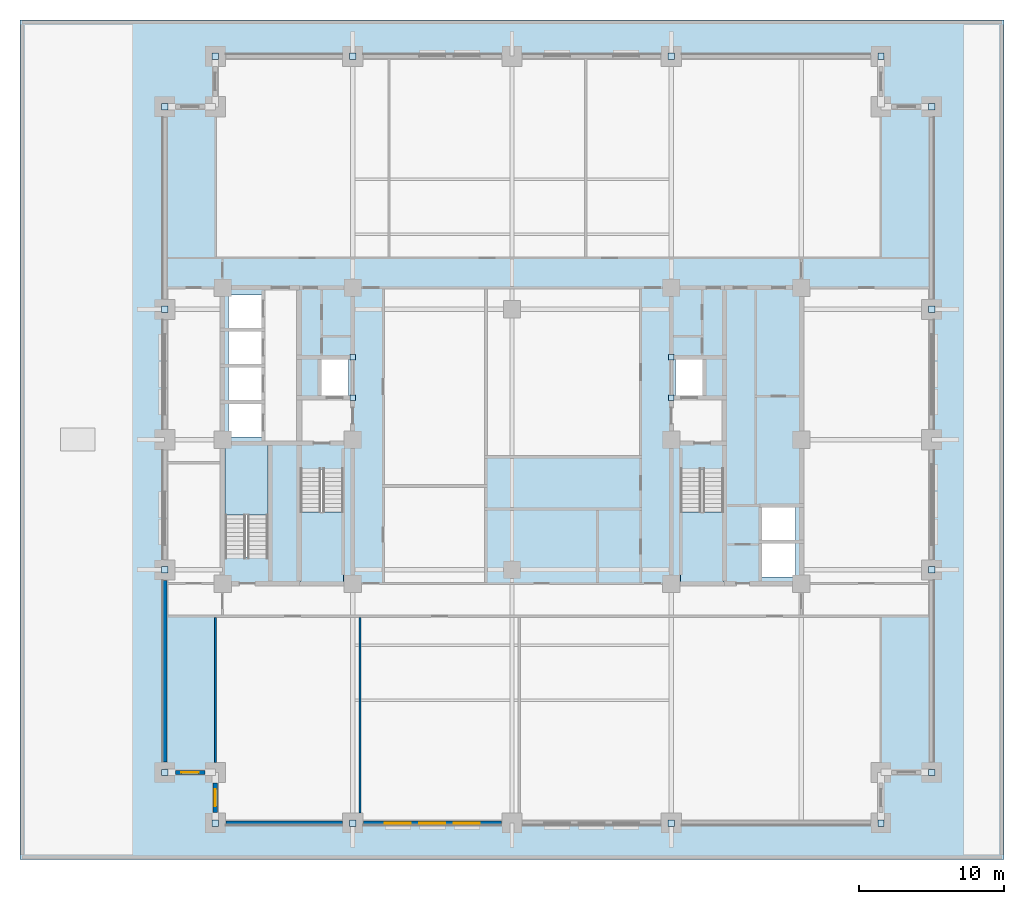
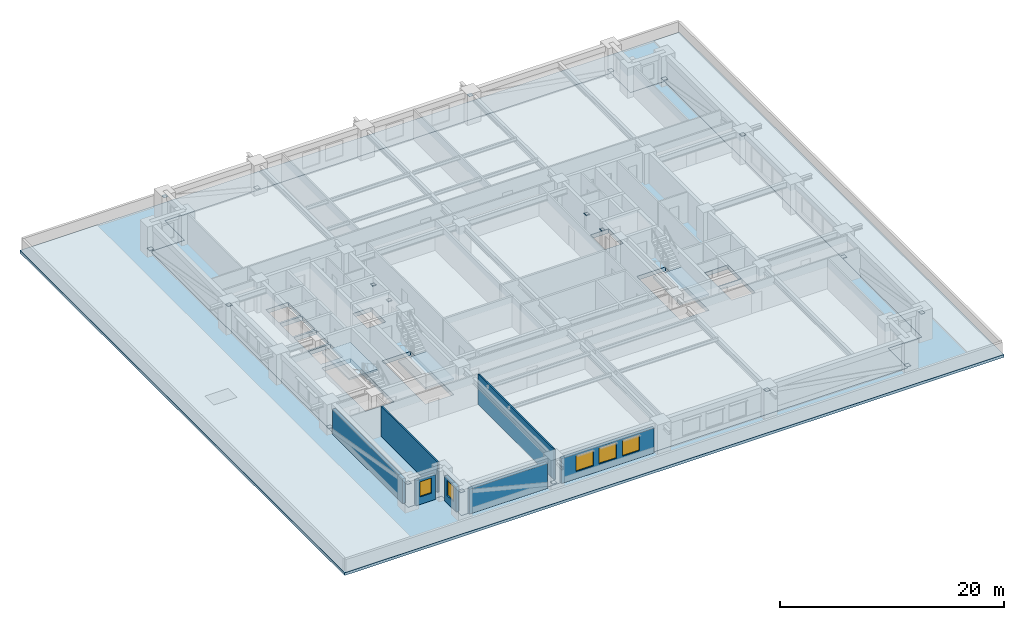
# One storey, part 2 of 12: 20 plates, 7 walls, 5 slabs, 5 windows, 5 openings, 3 elements without a shape of their own.
"""IFC4 building model written with IfcOpenShell, lengths in metres."""

from ifc_helpers import new_model, si_unit, direction, frame, frame_2d, origin, origin_2d, place, context, subcontext, project, spatial, polyline, rectangle, outline, extrude, material, layer, layer_set, type_object, element, fill, aggregate, save


model = new_model("IFC4")

# Units and contexts
model_context = context("Model", 3, precision=1e-05, world=origin(), true_north=direction((0.0, 1.0)))
body_context = subcontext(model_context, "Body", "Model", "MODEL_VIEW")
ifc_project = project(units=[si_unit("LENGTHUNIT", "METRE"), si_unit("AREAUNIT", "SQUARE_METRE"), si_unit("VOLUMEUNIT", "CUBIC_METRE"), si_unit("PLANEANGLEUNIT", "RADIAN"), si_unit("MASSUNIT", "GRAM", prefix="KILO")], contexts=[model_context])

# Site, building, storey
site_placement = place(None, origin())
site = spatial("IfcSite", under=ifc_project, at=site_placement, CompositionType="ELEMENT")
building_placement = place(site_placement, origin())
building = spatial("IfcBuilding", under=site, at=building_placement, Name="Zulmaris Gate Convention Tower", CompositionType="ELEMENT")
storey_placement = place(building_placement, frame((0.0, 0.0, 27.199951171875)))
storey = spatial("IfcBuildingStorey", under=building, at=storey_placement, Name="L05", CompositionType="ELEMENT", Elevation=27.199951171875)

# Plates
ifc_material_1 = material(Name="Steel S460", Category="steel")
ifc_layer_1 = layer(ifc_material_1, 0.02197265625, Name="Steel S460")
ifc_layer_set_1 = layer_set([ifc_layer_1], Name="Steel S460")
plate_type_1 = type_object("IfcPlateType", Name="NP-CAP-360", PredefinedType="USERDEFINED", material=ifc_layer_set_1)
for number, where, z_axis, x_axis, name in (
    (1, (-11.0, 2.89990234375, 2.339111328125), (0.0, 0.0, 1.0), (1.0, 0.0, 0.0), "L05 Steel Node Plate LN-L05-1-CAP0"),
    (2, (-11.0, 5.699951171875, 2.339111328125), (0.0, 0.0, 1.0), (1.0, 0.0, 0.0), "L05 Steel Node Plate LN-L05-1-CAP1"),
    (3, (11.0, 2.89990234375, 2.339111328125), (0.0, 0.0, 1.0), (1.0, 0.0, 0.0), "L05 Steel Node Plate LN-L05-2-CAP0"),
    (4, (11.0, 5.699951171875, 2.339111328125), (0.0, 0.0, 1.0), (1.0, 0.0, 0.0), "L05 Steel Node Plate LN-L05-2-CAP1"),
):
    element("IfcPlate", number, at=place(storey_placement, frame(where, z_axis=z_axis, x_axis=x_axis)), inside=storey, type_object=plate_type_1, Name=name, ObjectType="FLANGE PLATE", PredefinedType="USERDEFINED", context=body_context, shape_type="SweptSolid", body=[
        extrude(rectangle(XDim=0.360107421875, YDim=0.360107421875, at=origin_2d()), origin(), (0.0, 0.0, 1.0), 0.02197265625),
    ])
ifc_layer_2 = layer(ifc_material_1, 0.02490234375, Name="Steel S460")
ifc_layer_set_2 = layer_set([ifc_layer_2], Name="Steel S460")
plate_type_2 = type_object("IfcPlateType", Name="NP-CAP-440", PredefinedType="USERDEFINED", material=ifc_layer_set_2)
for number, where, z_axis, x_axis, name in (
    (5, (-24.0, -9.0, 0.28759765625), (0.0, 0.0, 1.0), (1.0, 0.0, 0.0), "L05 Steel Node Plate PBR-L05-SW-W-CAP"),
    (6, (-24.0, -23.0, 2.6875), (0.0, 0.0, 1.0), (1.0, 0.0, 0.0), "L05 Steel Node Plate PBR-L05-SW-W-CAPB"),
    (7, (-24.0, 23.0, 0.28759765625), (0.0, 0.0, 1.0), (1.0, 0.0, 0.0), "L05 Steel Node Plate PBR-L05-NW-W-CAP"),
    (8, (-24.0, 9.0, 2.6875), (0.0, 0.0, 1.0), (1.0, 0.0, 0.0), "L05 Steel Node Plate PBR-L05-NW-W-CAPB"),
    (9, (29.0, -9.0, 0.28759765625), (0.0, 0.0, 1.0), (1.0, 0.0, 0.0), "L05 Steel Node Plate PBR-L05-SE-E-CAP"),
    (10, (29.0, -23.0, 2.6875), (0.0, 0.0, 1.0), (1.0, 0.0, 0.0), "L05 Steel Node Plate PBR-L05-SE-E-CAPB"),
    (11, (29.0, 23.0, 0.28759765625), (0.0, 0.0, 1.0), (1.0, 0.0, 0.0), "L05 Steel Node Plate PBR-L05-NE-E-CAP"),
    (12, (29.0, 9.0, 2.6875), (0.0, 0.0, 1.0), (1.0, 0.0, 0.0), "L05 Steel Node Plate PBR-L05-NE-E-CAPB"),
    (13, (-11.0, -26.5, 0.28759765625), (0.0, 0.0, 1.0), (1.0, 0.0, 0.0), "L05 Steel Node Plate PBR-L05-SW-S-CAP"),
    (14, (-20.5, -26.5, 2.6875), (0.0, 0.0, 1.0), (1.0, 0.0, 0.0), "L05 Steel Node Plate PBR-L05-SW-S-CAPB"),
    (15, (25.5, -26.5, 0.28759765625), (0.0, 0.0, 1.0), (1.0, 0.0, 0.0), "L05 Steel Node Plate PBR-L05-SE-S-CAP"),
    (16, (11.0, -26.5, 2.6875), (0.0, 0.0, 1.0), (1.0, 0.0, 0.0), "L05 Steel Node Plate PBR-L05-SE-S-CAPB"),
    (17, (-11.0, 26.5, 0.28759765625), (0.0, 0.0, 1.0), (1.0, 0.0, 0.0), "L05 Steel Node Plate PBR-L05-NW-N-CAP"),
    (18, (-20.5, 26.5, 2.6875), (0.0, 0.0, 1.0), (1.0, 0.0, 0.0), "L05 Steel Node Plate PBR-L05-NW-N-CAPB"),
    (19, (25.5, 26.5, 0.28759765625), (0.0, 0.0, 1.0), (1.0, 0.0, 0.0), "L05 Steel Node Plate PBR-L05-NE-N-CAP"),
    (20, (11.0, 26.5, 2.6875), (0.0, 0.0, 1.0), (1.0, 0.0, 0.0), "L05 Steel Node Plate PBR-L05-NE-N-CAPB"),
):
    element("IfcPlate", number, at=place(storey_placement, frame(where, z_axis=z_axis, x_axis=x_axis)), inside=storey, type_object=plate_type_2, Name=name, ObjectType="FLANGE PLATE", PredefinedType="USERDEFINED", context=body_context, shape_type="SweptSolid", body=[
        extrude(rectangle(XDim=0.43994140625, YDim=0.43994140625, at=origin_2d()), origin(), (0.0, 0.0, 1.0), 0.02490234375),
    ])

# Slab
ifc_material_2 = material(Name="Concrete C60/75", Category="concrete")
ifc_layer_3 = layer(ifc_material_2, 0.449951171875, Name="Concrete C60/75")
ifc_layer_set_3 = layer_set([ifc_layer_3], Name="Concrete C60/75")
slab_type_1 = type_object("IfcSlabType", Name="SL-FLR-450", PredefinedType="FLOOR", material=ifc_layer_set_3)
slab_1_placement = place(storey_placement, frame((0.0, 0.0, -0.449951171875)))
element("IfcSlab", 21, at=slab_1_placement, inside=storey, type_object=slab_type_1, Name="L05 Shifted Notched-Square Structural Floor Slab", PredefinedType="FLOOR", context=body_context, shape_type="SweptSolid", body=[
    extrude(outline(polyline([(-20.5, -26.5), (25.5, -26.5), (25.5, -23.0), (29.0, -23.0), (29.0, 23.0), (25.5, 23.0), (25.5, 26.5), (-20.5, 26.5), (-20.5, 23.0), (-24.0, 23.0), (-24.0, -23.0), (-20.5, -23.0), (-20.5, -26.5)]), holes=[polyline([(-14.6201171875, -2.080078125), (-14.6201171875, -9.85009765625), (-11.659912109375, -9.85009765625), (-11.659912109375, -2.080078125), (-14.6201171875, -2.080078125)]), polyline([(11.659912109375, -2.080078125), (11.659912109375, -9.85009765625), (14.6201171875, -9.85009765625), (14.6201171875, -2.080078125), (11.659912109375, -2.080078125)]), polyline([(-16.860107421875, -8.1201171875), (-16.860107421875, -0.35009765625), (-19.820068359375, -0.35009765625), (-19.820068359375, -8.1201171875), (-16.860107421875, -8.1201171875)]), polyline([(-13.199951171875, 3.0), (-11.300048828125, 3.0), (-11.300048828125, 5.60009765625), (-13.199951171875, 5.60009765625), (-13.199951171875, 3.0)]), polyline([(11.300048828125, 3.0), (13.199951171875, 3.0), (13.199951171875, 5.60009765625), (11.300048828125, 5.60009765625), (11.300048828125, 3.0)]), polyline([(-19.60009765625, 0.199951171875), (-17.300048828125, 0.199951171875), (-17.300048828125, 2.5), (-19.60009765625, 2.5), (-19.60009765625, 0.199951171875)]), polyline([(-19.60009765625, 2.699951171875), (-17.300048828125, 2.699951171875), (-17.300048828125, 5.0), (-19.60009765625, 5.0), (-19.60009765625, 2.699951171875)]), polyline([(-19.60009765625, 5.199951171875), (-17.300048828125, 5.199951171875), (-17.300048828125, 7.5), (-19.60009765625, 7.5), (-19.60009765625, 5.199951171875)]), polyline([(-19.60009765625, 7.699951171875), (-17.300048828125, 7.699951171875), (-17.300048828125, 10.0), (-19.60009765625, 10.0), (-19.60009765625, 7.699951171875)]), polyline([(17.199951171875, -9.5), (19.60009765625, -9.5), (19.60009765625, -7.10009765625), (17.199951171875, -7.10009765625), (17.199951171875, -9.5)]), polyline([(17.199951171875, -7.0), (19.60009765625, -7.0), (19.60009765625, -4.60009765625), (17.199951171875, -4.60009765625), (17.199951171875, -7.0)])]), origin(), (0.0, 0.0, 1.0), 0.449951171875),
])

# Stair, slab
ifc_material_3 = material(Name="Concrete C45/55", Category="concrete")
stair_type = type_object("IfcStairType", Name="ST-CORE-DOGLEG", PredefinedType="HALF_TURN_STAIR", material=ifc_material_3)
stair_1_placement = place(storey_placement, origin())
stair_1 = element("IfcStair", 22, at=stair_1_placement, inside=storey, type_object=stair_type, Name="L05 Core Exit Stair ST-1", PredefinedType="HALF_TURN_STAIR")
ifc_layer_4 = layer(ifc_material_3, 0.199951171875, Name="Concrete C45/55")
ifc_layer_set_4 = layer_set([ifc_layer_4], Name="Concrete C45/55")
slab_type_2 = type_object("IfcSlabType", Name="SL-LND-200", PredefinedType="LANDING", material=ifc_layer_set_4)
slab_2_placement = place(storey_placement, frame((0.0, 0.0, 1.5849609375)))
slab_2 = element("IfcSlab", 23, at=slab_2_placement, type_object=slab_type_2, Name="ST-1 landing 1", PredefinedType="LANDING", context=body_context, shape_type="SweptSolid", body=[
    extrude(outline(polyline([(-14.6201171875, -5.0), (-14.6201171875, -9.85009765625), (-11.659912109375, -9.85009765625), (-11.659912109375, -5.0), (-14.6201171875, -5.0)])), origin(), (0.0, 0.0, 1.0), 0.2001953125),
])
aggregate(stair_1, [slab_2])

stair_2_placement = place(storey_placement, origin())
stair_2 = element("IfcStair", 24, at=stair_2_placement, inside=storey, type_object=stair_type, Name="L05 Core Exit Stair ST-2", PredefinedType="HALF_TURN_STAIR")
slab_3_placement = place(storey_placement, frame((0.0, 0.0, 1.5849609375)))
slab_3 = element("IfcSlab", 25, at=slab_3_placement, type_object=slab_type_2, Name="ST-2 landing 1", PredefinedType="LANDING", context=body_context, shape_type="SweptSolid", body=[
    extrude(outline(polyline([(11.659912109375, -5.0), (11.659912109375, -9.85009765625), (14.6201171875, -9.85009765625), (14.6201171875, -5.0), (11.659912109375, -5.0)])), origin(), (0.0, 0.0, 1.0), 0.2001953125),
])
aggregate(stair_2, [slab_3])

stair_3_placement = place(storey_placement, origin())
stair_3 = element("IfcStair", 26, at=stair_3_placement, inside=storey, type_object=stair_type, Name="L05 Core Exit Stair ST-3", PredefinedType="HALF_TURN_STAIR")
slab_4_placement = place(storey_placement, frame((0.0, 0.0, 1.5849609375)))
slab_4 = element("IfcSlab", 27, at=slab_4_placement, type_object=slab_type_2, Name="ST-3 landing 1", PredefinedType="LANDING", context=body_context, shape_type="SweptSolid", body=[
    extrude(outline(polyline([(-16.860107421875, -5.199951171875), (-16.860107421875, -0.35009765625), (-19.820068359375, -0.35009765625), (-19.820068359375, -5.199951171875), (-16.860107421875, -5.199951171875)])), origin(), (0.0, 0.0, 1.0), 0.2001953125),
])
aggregate(stair_3, [slab_4])

# Slab
ifc_material_4 = material(Name="Concrete C50/60", Category="concrete")
ifc_layer_5 = layer(ifc_material_4, 0.300048828125, Name="Concrete C50/60")
ifc_layer_set_5 = layer_set([ifc_layer_5], Name="Concrete C50/60")
slab_type_3 = type_object("IfcSlabType", Name="SL-ROOF-300", PredefinedType="ROOF", material=ifc_layer_set_5)
slab_5_placement = place(storey_placement, frame((0.0, 0.0, -0.300048828125)))
element("IfcSlab", 28, at=slab_5_placement, inside=storey, type_object=slab_type_3, Name="L05 Convention Podium Perimeter Roof Slab", PredefinedType="ROOF", context=body_context, shape_type="SweptSolid", body=[
    extrude(outline(polyline([(-34.0, -29.0), (34.0, -29.0), (34.0, 29.0), (-34.0, 29.0), (-34.0, -29.0)]), holes=[polyline([(-20.5, -23.0), (-24.0, -23.0), (-24.0, 23.0), (-20.5, 23.0), (-20.5, 26.5), (25.5, 26.5), (25.5, 23.0), (29.0, 23.0), (29.0, -23.0), (25.5, -23.0), (25.5, -26.5), (-20.5, -26.5), (-20.5, -23.0)])]), origin(), (0.0, 0.0, 1.0), 0.300048828125),
])

# Walls
ifc_material_5 = material(Name="Gypsum Metal Stud Partition")
ifc_layer_6 = layer(ifc_material_5, 0.14990234375, Name="Gypsum Metal Stud Partition")
ifc_layer_set_6 = layer_set([ifc_layer_6], Name="Gypsum Metal Stud Partition")
wall_type_1 = type_object("IfcWallType", Name="PART-150", PredefinedType="PARTITIONING", material=ifc_layer_set_6)
wall_1_placement = place(storey_placement, frame((-20.5, -22.2939453125, 0.0), z_axis=(0.0, 0.0, 1.0), x_axis=(0.0, 1.0, 0.0)))
element("IfcWall", 29, at=wall_1_placement, inside=storey, type_object=wall_type_1, Name="WL-L05-072", PredefinedType="PARTITIONING", context=body_context, shape_type="SweptSolid", body=[
    extrude(rectangle(XDim=10.015869140625, YDim=0.14990234375, at=frame_2d((5.0078125, 0.0))), origin(), (0.0, 0.0, 1.0), 3.320068359375),
])
wall_2_placement = place(storey_placement, frame((-10.5, -25.7939453125, 0.0), z_axis=(0.0, 0.0, 1.0), x_axis=(0.0, 1.0, 0.0)))
element("IfcWall", 30, at=wall_2_placement, inside=storey, type_object=wall_type_1, Name="WL-L05-078", PredefinedType="PARTITIONING", context=body_context, shape_type="SweptSolid", body=[
    extrude(rectangle(XDim=13.515869140625, YDim=0.14990234375, at=frame_2d((6.7578125, 0.0))), origin(), (0.0, 0.0, 1.0), 3.320068359375),
])

# Wall, opening, window
ifc_material_6 = material(Name="Precast concrete C40/50", Category="concrete")
ifc_layer_7 = layer(ifc_material_6, 0.300048828125, Name="Precast concrete C40/50")
ifc_layer_set_7 = layer_set([ifc_layer_7], Name="Precast concrete C40/50")
wall_type_2 = type_object("IfcWallType", Name="PRECAST-PIER-300", PredefinedType="STANDARD", material=ifc_layer_set_7)
wall_3_placement = place(storey_placement, frame((-23.27001953125, -23.0, 0.0), z_axis=(0.0, 0.0, 1.0), x_axis=(1.0, 0.0, 0.0)))
wall_3 = element("IfcWall", 31, at=wall_3_placement, inside=storey, type_object=wall_type_2, Name="EW-L05-NOTCH-SW1_0", PredefinedType="STANDARD", context=body_context, shape_type="SweptSolid", body=[
    extrude(rectangle(XDim=2.0400390625, YDim=0.300048828125, at=frame_2d((1.02001953125, 0.0))), origin(), (0.0, 0.0, 1.0), 2.712158203125),
])
opening_1_placement = place(wall_3_placement, frame((0.419921875, 0.0, 0.820068359375)))
opening_1 = element("IfcOpeningElement", 32, at=opening_1_placement, cuts=wall_3, Name="Opening W-04", PredefinedType="OPENING", context=body_context, shape_type="SweptSolid", body=[
    extrude(rectangle(XDim=1.199951171875, YDim=1.64990234375, at=frame_2d((0.60009765625, 0.824951171875))), frame((0.0, 0.16015625, 0.0), z_axis=(0.0, -1.0, 0.0), x_axis=(1.0, 0.0, 0.0)), (0.0, 0.0, 1.0), 0.320068359375),
])
ifc_material_7 = material(Name="Low-E Laminated Double Glazing in Aluminium Frame", Category="aluminium")
window_type_1 = type_object("IfcWindowType", Name="WIN-1200x2100", PartitioningType="SINGLE_PANEL", PredefinedType="WINDOW", material=ifc_material_7)
window_1_placement = place(opening_1_placement, origin())
window_1 = element("IfcWindow", 33, at=window_1_placement, inside=storey, type_object=window_type_1, Name="WN-EW-L05-NOTCH-SW1_0", OverallHeight=1.64990234375, OverallWidth=1.199951171875, PartitioningType="SINGLE_PANEL", PredefinedType="WINDOW", context=body_context, shape_type="SweptSolid", body=[
    extrude(rectangle(XDim=1.199951171875, YDim=1.64990234375, at=frame_2d((0.60009765625, 0.824951171875))), frame((0.0, 0.030029296875, 0.0), z_axis=(0.0, -1.0, 0.0), x_axis=(1.0, 0.0, 0.0)), (0.0, 0.0, 1.0), 0.06005859375),
])
fill(opening_1, window_1)

wall_4_placement = place(storey_placement, frame((-20.5, -23.72998046875, 0.0), z_axis=(0.0, 0.0, 1.0), x_axis=(0.0, -1.0, 0.0)))
wall_4 = element("IfcWall", 34, at=wall_4_placement, inside=storey, type_object=wall_type_2, Name="EW-L05-NOTCH-SW2_0", PredefinedType="STANDARD", context=body_context, shape_type="SweptSolid", body=[
    extrude(rectangle(XDim=2.0400390625, YDim=0.300048828125, at=frame_2d((1.02001953125, 0.0))), origin(), (0.0, 0.0, 1.0), 2.712158203125),
])
opening_2_placement = place(wall_4_placement, frame((0.419921875, 0.0, 0.820068359375)))
opening_2 = element("IfcOpeningElement", 35, at=opening_2_placement, cuts=wall_4, Name="Opening W-04", PredefinedType="OPENING", context=body_context, shape_type="SweptSolid", body=[
    extrude(rectangle(XDim=1.199951171875, YDim=1.64990234375, at=frame_2d((0.60009765625, 0.824951171875))), frame((0.0, 0.16015625, 0.0), z_axis=(0.0, -1.0, 0.0), x_axis=(1.0, 0.0, 0.0)), (0.0, 0.0, 1.0), 0.320068359375),
])
window_2_placement = place(opening_2_placement, origin())
window_2 = element("IfcWindow", 36, at=window_2_placement, inside=storey, type_object=window_type_1, Name="WN-EW-L05-NOTCH-SW2_0", OverallHeight=1.64990234375, OverallWidth=1.199951171875, PartitioningType="SINGLE_PANEL", PredefinedType="WINDOW", context=body_context, shape_type="SweptSolid", body=[
    extrude(rectangle(XDim=1.199951171875, YDim=1.64990234375, at=frame_2d((0.60009765625, 0.824951171875))), frame((0.0, 0.030029296875, 0.0), z_axis=(0.0, -1.0, 0.0), x_axis=(1.0, 0.0, 0.0)), (0.0, 0.0, 1.0), 0.06005859375),
])
fill(opening_2, window_2)

# Wall
wall_5_placement = place(storey_placement, frame((-19.77001953125, -26.5, 0.0), z_axis=(0.0, 0.0, 1.0), x_axis=(1.0, 0.0, 0.0)))
element("IfcWall", 37, at=wall_5_placement, inside=storey, type_object=wall_type_2, Name="EW-L05-S-0_0", PredefinedType="STANDARD", context=body_context, shape_type="SweptSolid", body=[
    extrude(rectangle(XDim=8.0400390625, YDim=0.300048828125, at=frame_2d((4.02001953125, 0.0))), origin(), (0.0, 0.0, 1.0), 2.712158203125),
])

# Wall, openings, windows
wall_6_placement = place(storey_placement, frame((-10.27001953125, -26.5, 0.0), z_axis=(0.0, 0.0, 1.0), x_axis=(1.0, 0.0, 0.0)))
wall_6 = element("IfcWall", 38, at=wall_6_placement, inside=storey, type_object=wall_type_2, Name="EW-L05-S-1_0", PredefinedType="STANDARD", context=body_context, shape_type="SweptSolid", body=[
    extrude(rectangle(XDim=9.5400390625, YDim=0.300048828125, at=frame_2d((4.77001953125, 0.0))), origin(), (0.0, 0.0, 1.0), 2.712158203125),
])
opening_3_placement = place(wall_6_placement, frame((1.485107421875, 0.0, 0.780029296875)))
opening_3 = element("IfcOpeningElement", 39, at=opening_3_placement, cuts=wall_6, Name="Opening W-02", PredefinedType="OPENING", context=body_context, shape_type="SweptSolid", body=[
    extrude(rectangle(XDim=1.800048828125, YDim=1.719970703125, at=frame_2d((0.89990234375, 0.85986328125))), frame((0.0, 0.16015625, 0.0), z_axis=(0.0, -1.0, 0.0), x_axis=(1.0, 0.0, 0.0)), (0.0, 0.0, 1.0), 0.320068359375),
])
opening_4_placement = place(wall_6_placement, frame((3.8701171875, 0.0, 0.780029296875)))
opening_4 = element("IfcOpeningElement", 40, at=opening_4_placement, cuts=wall_6, Name="Opening W-02", PredefinedType="OPENING", context=body_context, shape_type="SweptSolid", body=[
    extrude(rectangle(XDim=1.800048828125, YDim=1.719970703125, at=frame_2d((0.89990234375, 0.85986328125))), frame((0.0, 0.16015625, 0.0), z_axis=(0.0, -1.0, 0.0), x_axis=(1.0, 0.0, 0.0)), (0.0, 0.0, 1.0), 0.320068359375),
])
opening_5_placement = place(wall_6_placement, frame((6.2548828125, 0.0, 0.780029296875)))
opening_5 = element("IfcOpeningElement", 41, at=opening_5_placement, cuts=wall_6, Name="Opening W-02", PredefinedType="OPENING", context=body_context, shape_type="SweptSolid", body=[
    extrude(rectangle(XDim=1.800048828125, YDim=1.719970703125, at=frame_2d((0.89990234375, 0.85986328125))), frame((0.0, 0.16015625, 0.0), z_axis=(0.0, -1.0, 0.0), x_axis=(1.0, 0.0, 0.0)), (0.0, 0.0, 1.0), 0.320068359375),
])
window_type_2 = type_object("IfcWindowType", Name="WIN-1800x2200", PartitioningType="SINGLE_PANEL", PredefinedType="WINDOW", material=ifc_material_7)
window_3_placement = place(opening_3_placement, origin())
window_3 = element("IfcWindow", 42, at=window_3_placement, inside=storey, type_object=window_type_2, Name="WN-EW-L05-S-1_0-1", OverallHeight=1.719970703125, OverallWidth=1.800048828125, PartitioningType="SINGLE_PANEL", PredefinedType="WINDOW", context=body_context, shape_type="SweptSolid", body=[
    extrude(rectangle(XDim=1.800048828125, YDim=1.719970703125, at=frame_2d((0.89990234375, 0.85986328125))), frame((0.0, 0.030029296875, 0.0), z_axis=(0.0, -1.0, 0.0), x_axis=(1.0, 0.0, 0.0)), (0.0, 0.0, 1.0), 0.06005859375),
])
fill(opening_3, window_3)
window_4_placement = place(opening_4_placement, origin())
window_4 = element("IfcWindow", 43, at=window_4_placement, inside=storey, type_object=window_type_2, Name="WN-EW-L05-S-1_0-2", OverallHeight=1.719970703125, OverallWidth=1.800048828125, PartitioningType="SINGLE_PANEL", PredefinedType="WINDOW", context=body_context, shape_type="SweptSolid", body=[
    extrude(rectangle(XDim=1.800048828125, YDim=1.719970703125, at=frame_2d((0.89990234375, 0.85986328125))), frame((0.0, 0.030029296875, 0.0), z_axis=(0.0, -1.0, 0.0), x_axis=(1.0, 0.0, 0.0)), (0.0, 0.0, 1.0), 0.06005859375),
])
fill(opening_4, window_4)
window_5_placement = place(opening_5_placement, origin())
window_5 = element("IfcWindow", 44, at=window_5_placement, inside=storey, type_object=window_type_2, Name="WN-EW-L05-S-1_0-3", OverallHeight=1.719970703125, OverallWidth=1.800048828125, PartitioningType="SINGLE_PANEL", PredefinedType="WINDOW", context=body_context, shape_type="SweptSolid", body=[
    extrude(rectangle(XDim=1.800048828125, YDim=1.719970703125, at=frame_2d((0.89990234375, 0.85986328125))), frame((0.0, 0.030029296875, 0.0), z_axis=(0.0, -1.0, 0.0), x_axis=(1.0, 0.0, 0.0)), (0.0, 0.0, 1.0), 0.06005859375),
])
fill(opening_5, window_5)

# Wall
wall_7_placement = place(storey_placement, frame((-24.0, -9.72998046875, 0.0), z_axis=(0.0, 0.0, 1.0), x_axis=(0.0, -1.0, 0.0)))
element("IfcWall", 45, at=wall_7_placement, inside=storey, type_object=wall_type_2, Name="EW-L05-W-0_0", PredefinedType="STANDARD", context=body_context, shape_type="SweptSolid", body=[
    extrude(rectangle(XDim=12.5400390625, YDim=0.300048828125, at=frame_2d((6.27001953125, 0.0))), origin(), (0.0, 0.0, 1.0), 2.712158203125),
])

save(model, "model.ifc")
